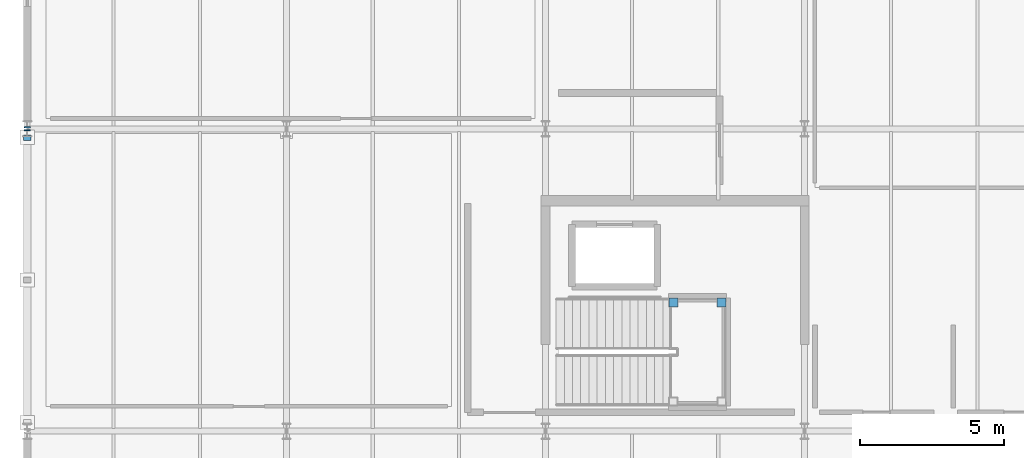
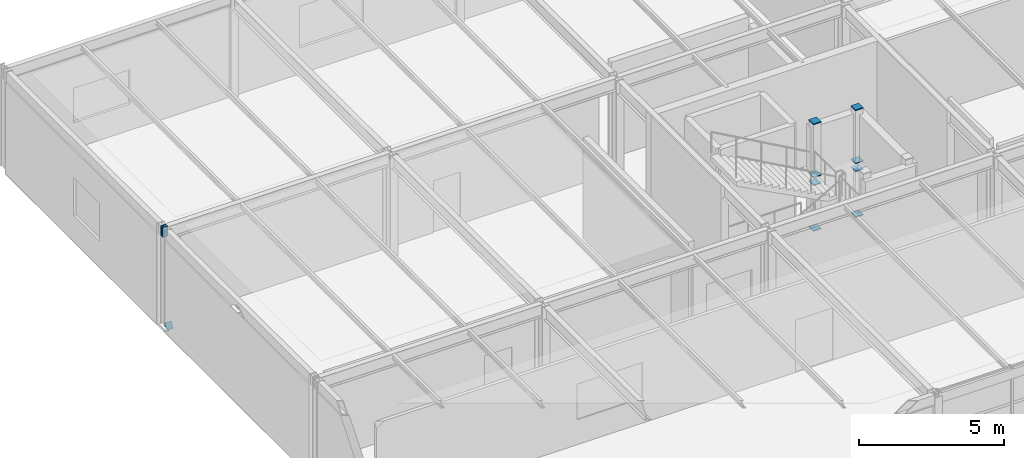
# One storey, part 28 of 44: 11 discrete accessories.
"""IFC4 building model written with IfcOpenShell, lengths in metres."""

from ifc_helpers import new_model, si_unit, direction, frame, origin, origin_2d, place, context, subcontext, project, spatial, rectangle, extrude, material, element, save


model = new_model("IFC4")

# Units and contexts
model_context = context("Model", 3, precision=1e-05, world=origin(), true_north=direction((0.0, 1.0)))
body_context = subcontext(model_context, "Body", "Model", "MODEL_VIEW")
ifc_project = project(units=[si_unit("LENGTHUNIT", "METRE"), si_unit("AREAUNIT", "SQUARE_METRE"), si_unit("VOLUMEUNIT", "CUBIC_METRE"), si_unit("PLANEANGLEUNIT", "RADIAN"), si_unit("MASSUNIT", "GRAM", prefix="KILO")], contexts=[model_context])

# Site, building, storey
site_placement = place(None, origin())
site = spatial("IfcSite", under=ifc_project, at=site_placement, CompositionType="ELEMENT")
building_placement = place(site_placement, origin())
building = spatial("IfcBuilding", under=site, at=building_placement, Name="Marlcrest Central Station", CompositionType="ELEMENT")
storey_placement = place(building_placement, frame((0.0, 0.0, 19.5)))
storey = spatial("IfcBuildingStorey", under=building, at=storey_placement, Name="L04", CompositionType="ELEMENT", Elevation=19.5)

# Discrete accessories
ifc_material = material(Name="Steel S355", Category="steel")
for number, where, z_axis, x_axis, name in (
    (1, (0.0, 120.925048828125, 4.074951171875), (0.0, 1.0, 0.0), (-1.0, 0.0, 0.0), "endcap-bm-SP-01-L04-00604-e"),
    (2, (0.0, 121.03515625, 4.074951171875), (0.0, 1.0, 0.0), (-1.0, 0.0, 0.0), "endcap-bm-SP-01-L04-00605-s"),
):
    element("IfcDiscreteAccessory", number, at=place(storey_placement, frame(where, z_axis=z_axis, x_axis=x_axis)), inside=storey, material=ifc_material, Name=name, ObjectType="END_CAP_PLATE", PredefinedType="BRACKET", context=body_context, shape_type="SweptSolid", body=[
        extrude(rectangle(XDim=0.216064453125, YDim=0.416015625, at=origin_2d()), origin(), (0.0, 0.0, 1.0), 0.0400390625),
    ])
discrete_accessory_placement = place(storey_placement, frame((0.0, 120.7119140625, 0.240966796875), z_axis=(0.0, -0.795159753467, 0.606400005332), x_axis=(1.0, 0.0, 0.0)))
element("IfcDiscreteAccessory", 3, at=discrete_accessory_placement, inside=storey, material=ifc_material, Name="endcap-mem-BF-02-L04-00010-s", ObjectType="END_CAP_PLATE", PredefinedType="BRACKET", context=body_context, shape_type="SweptSolid", body=[
    extrude(rectangle(XDim=0.26611328125, YDim=0.26611328125, at=origin_2d()), origin(), (0.0, 0.0, 1.0), 0.0400390625),
])
for number, where, z_axis, x_axis, name in (
    (4, (24.1201171875, 114.969970703125, -0.014892578125), (0.0, 0.0, 1.0), (1.0, 0.0, 0.0), "endcap-htcol-lo-0052-2-s"),
    (5, (24.1201171875, 114.969970703125, 1.905029296875), (0.0, 0.0, 1.0), (1.0, 0.0, 0.0), "endcap-htcol-lo-0052-2-e"),
    (6, (24.1201171875, 114.969970703125, 2.235107421875), (0.0, 0.0, 1.0), (1.0, 0.0, 0.0), "endcap-htcol-hi-0052-2-s"),
    (7, (24.1201171875, 114.969970703125, 4.47509765625), (0.0, 0.0, 1.0), (1.0, 0.0, 0.0), "endcap-htcol-hi-0052-2-e"),
    (8, (22.43994140625, 114.969970703125, -0.014892578125), (0.0, 0.0, 1.0), (1.0, 0.0, 0.0), "endcap-htcol-lo-0052-3-s"),
    (9, (22.43994140625, 114.969970703125, 1.905029296875), (0.0, 0.0, 1.0), (1.0, 0.0, 0.0), "endcap-htcol-lo-0052-3-e"),
    (10, (22.43994140625, 114.969970703125, 2.235107421875), (0.0, 0.0, 1.0), (1.0, 0.0, 0.0), "endcap-htcol-hi-0052-3-s"),
    (11, (22.43994140625, 114.969970703125, 4.47509765625), (0.0, 0.0, 1.0), (1.0, 0.0, 0.0), "endcap-htcol-hi-0052-3-e"),
):
    element("IfcDiscreteAccessory", number, at=place(storey_placement, frame(where, z_axis=z_axis, x_axis=x_axis)), inside=storey, material=ifc_material, Name=name, ObjectType="END_CAP_PLATE", PredefinedType="BRACKET", context=body_context, shape_type="SweptSolid", body=[
        extrude(rectangle(XDim=0.31591796875, YDim=0.31591796875, at=origin_2d()), origin(), (0.0, 0.0, 1.0), 0.0400390625),
    ])

save(model, "model.ifc")
